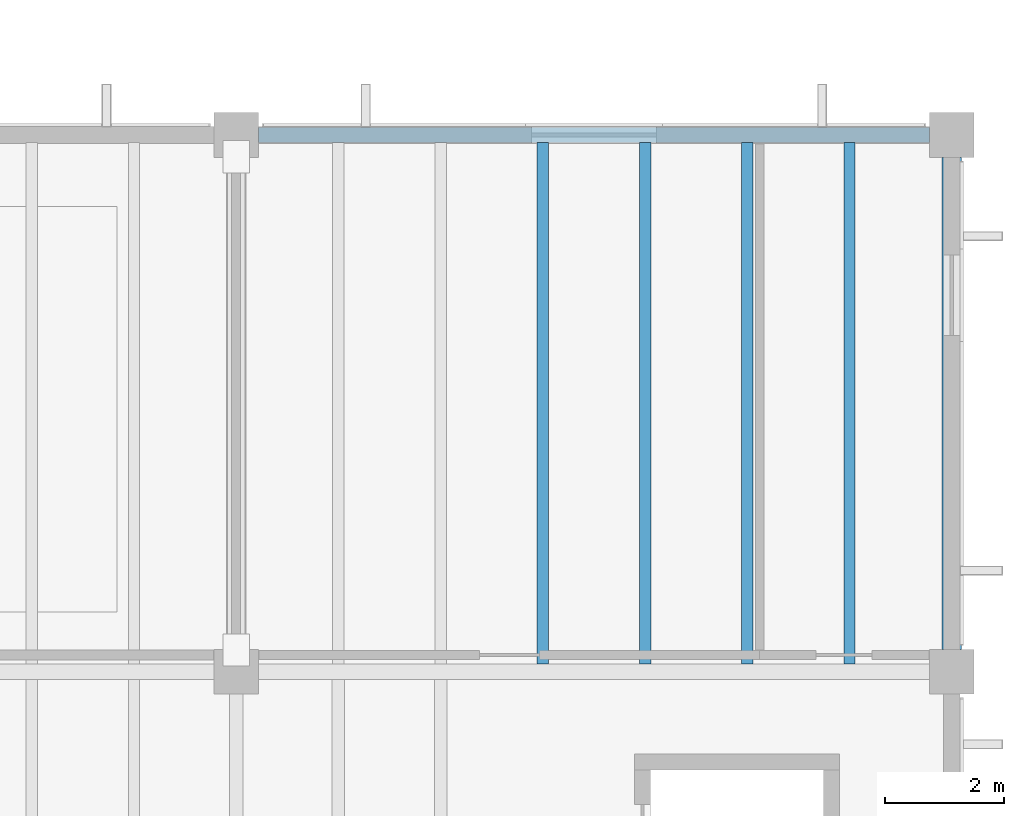
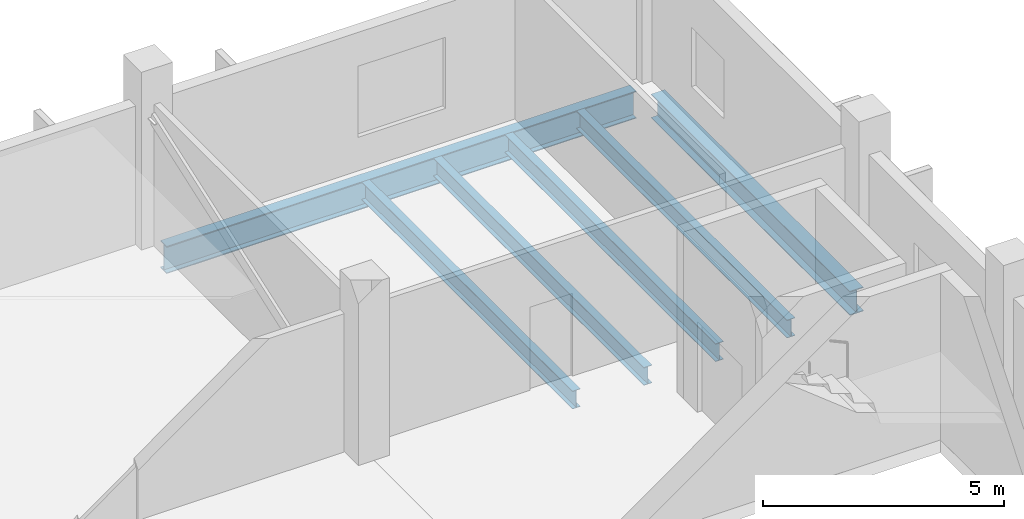
# One storey, part 72 of 114: 6 beams.
"""IFC4 building model written with IfcOpenShell, lengths in metres."""

from ifc_helpers import new_model, si_unit, direction, frame, origin, origin_2d, place, context, subcontext, project, spatial, i_section, extrude, material, material_profile, profile_set, type_object, element, save


model = new_model("IFC4")

# Units and contexts
model_context = context("Model", 3, precision=1e-05, world=origin(), true_north=direction((0.0, 1.0)))
body_context = subcontext(model_context, "Body", "Model", "MODEL_VIEW")
ifc_project = project(units=[si_unit("LENGTHUNIT", "METRE"), si_unit("AREAUNIT", "SQUARE_METRE"), si_unit("VOLUMEUNIT", "CUBIC_METRE"), si_unit("PLANEANGLEUNIT", "RADIAN"), si_unit("MASSUNIT", "GRAM", prefix="KILO")], contexts=[model_context])

# Site, building, storey
site_placement = place(None, origin())
site = spatial("IfcSite", under=ifc_project, at=site_placement, CompositionType="ELEMENT")
building_placement = place(site_placement, origin())
building = spatial("IfcBuilding", under=site, at=building_placement, Name="Kelmvaro Bay Concert Hall", CompositionType="ELEMENT")
storey_placement = place(building_placement, frame((0.0, 0.0, 4.800048828125)))
storey = spatial("IfcBuildingStorey", under=building, at=storey_placement, Name="L01", CompositionType="ELEMENT", Elevation=4.800048828125)

# Beams
ifc_material_1 = material(Name="Steel ASTM A992 Grade 50", Category="steel")
ifc_material_profile_1 = material_profile(ifc_material_1, i_section(OverallWidth=0.323974609375, OverallDepth=0.611083984375, WebThickness=0.0126953125, FlangeThickness=0.01904296875, at=origin_2d()), Name="W24X104")
ifc_profile_set_1 = profile_set([ifc_material_profile_1], Name="Steel ASTM A992 Grade 50")
beam_type_1 = type_object("IfcBeamType", Name="Foyer Frame Girder W24x104", PredefinedType="BEAM", material=ifc_profile_set_1)
beam_1_placement = place(storey_placement, frame((168.0, 30.375, -0.62548828125), z_axis=(0.0, 1.0, 0.0), x_axis=(-1.0, 0.0, 0.0)))
element("IfcBeam", 1, at=beam_1_placement, inside=storey, type_object=beam_type_1, Name="L01 Girder BM-L01-NS-0213", PredefinedType="BEAM", context=body_context, shape_type="SweptSolid", body=[
    extrude(i_section(OverallWidth=0.323974609375, OverallDepth=0.611083984375, WebThickness=0.0126953125, FlangeThickness=0.01904296875, at=origin_2d()), origin(), (0.0, 0.0, 1.0), 8.25),
])
ifc_material_2 = material(Name="Steel ASTM A992 Grade 50", Category="steel")
ifc_material_profile_2 = material_profile(ifc_material_2, i_section(OverallWidth=0.256103515625, OverallDepth=0.693115234375, WebThickness=0.014404296875, FlangeThickness=0.023681640625, at=origin_2d()), Name="W27X114")
ifc_profile_set_2 = profile_set([ifc_material_profile_2], Name="Steel ASTM A992 Grade 50")
beam_type_2 = type_object("IfcBeamType", Name="Foyer Primary Girder W27x114", PredefinedType="BEAM", material=ifc_profile_set_2)
beam_2_placement = place(storey_placement, frame((156.375, 39.0, -0.66650390625), z_axis=(1.0, 0.0, 0.0), x_axis=(0.0, 1.0, 0.0)))
element("IfcBeam", 2, at=beam_2_placement, inside=storey, type_object=beam_type_2, Name="L01 Girder BM-L01-EW-0057", PredefinedType="BEAM", context=body_context, shape_type="SweptSolid", body=[
    extrude(i_section(OverallWidth=0.256103515625, OverallDepth=0.693115234375, WebThickness=0.014404296875, FlangeThickness=0.023681640625, at=origin_2d()), origin(), (0.0, 0.0, 1.0), 11.25),
])
ifc_material_3 = material(Name="Steel ASTM A992 Grade 50", Category="steel")
ifc_material_profile_3 = material_profile(ifc_material_3, i_section(OverallWidth=0.19091796875, OverallDepth=0.45703125, WebThickness=0.009033203125, FlangeThickness=0.014404296875, at=origin_2d()), Name="W18X50")
ifc_profile_set_3 = profile_set([ifc_material_profile_3], Name="Steel ASTM A992 Grade 50")
beam_type_3 = type_object("IfcBeamType", Name="Standard Composite Floor Joist W18x50", PredefinedType="JOIST", material=ifc_profile_set_3)
for number, where, z_axis, x_axis, name in (
    (3, (161.142822265625, 30.1279296875, -0.548583984375), (0.0, 1.0, 0.0), (-1.0, 0.0, 0.0), "L01 Floor Joist JST-L01-0418"),
    (4, (162.857177734375, 30.1279296875, -0.548583984375), (0.0, 1.0, 0.0), (-1.0, 0.0, 0.0), "L01 Floor Joist JST-L01-0419"),
    (5, (164.5712890625, 30.1279296875, -0.548583984375), (0.0, 1.0, 0.0), (-1.0, 0.0, 0.0), "L01 Floor Joist JST-L01-0420"),
    (6, (166.28564453125, 30.1279296875, -0.548583984375), (0.0, 1.0, 0.0), (-1.0, 0.0, 0.0), "L01 Floor Joist JST-L01-0421"),
):
    element("IfcBeam", number, at=place(storey_placement, frame(where, z_axis=z_axis, x_axis=x_axis)), inside=storey, type_object=beam_type_3, Name=name, PredefinedType="JOIST", context=body_context, shape_type="SweptSolid", body=[
        extrude(i_section(OverallWidth=0.19091796875, OverallDepth=0.45703125, WebThickness=0.009033203125, FlangeThickness=0.014404296875, at=origin_2d()), origin(), (0.0, 0.0, 1.0), 8.744140625),
    ])

save(model, "model.ifc")
